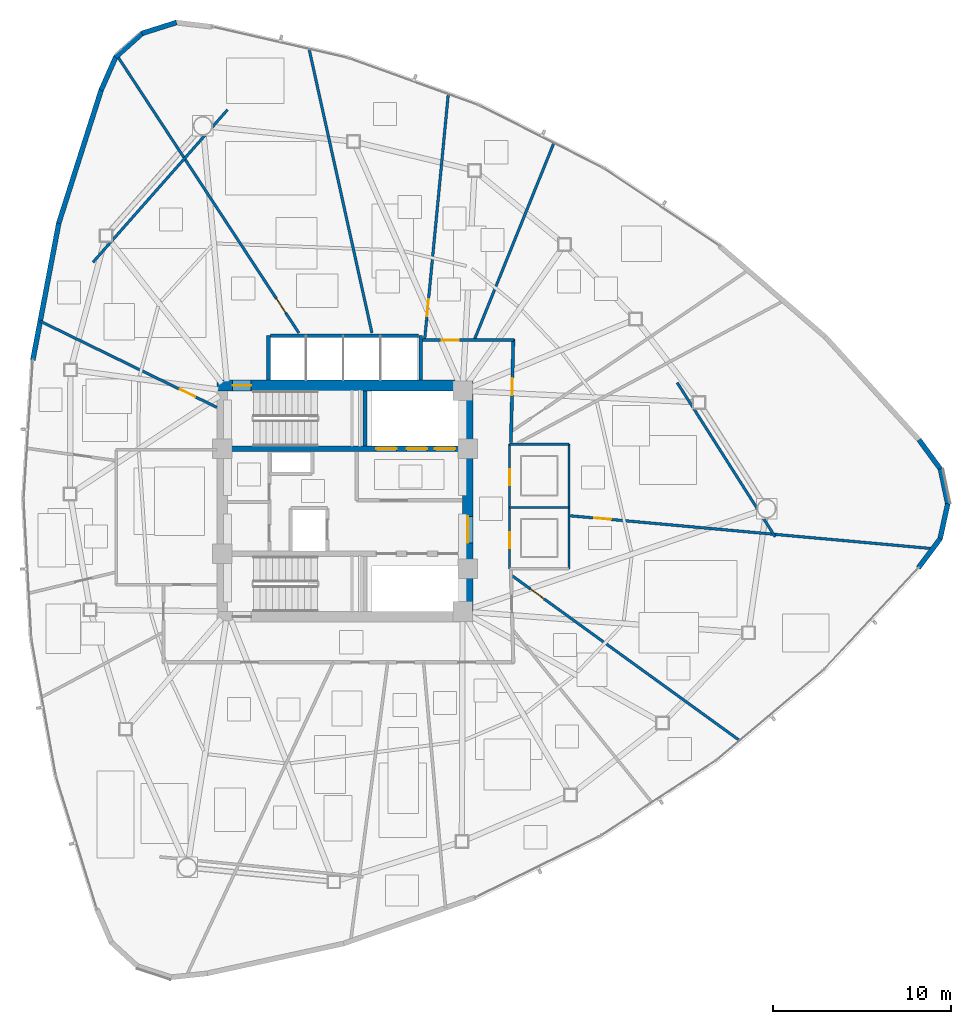
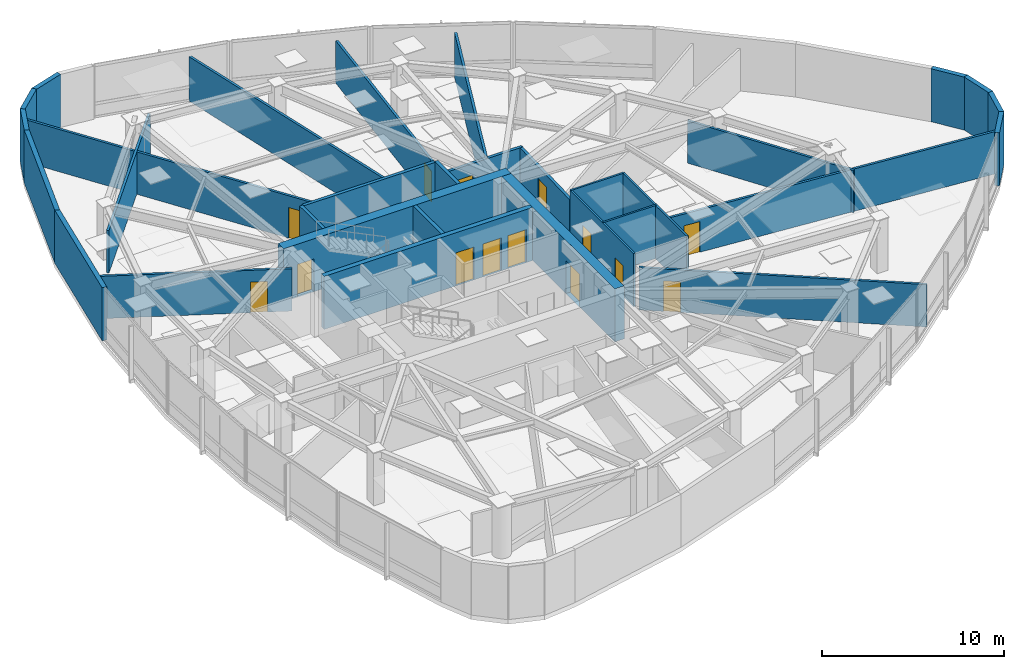
# One storey, part 13 of 18: 31 walls, 14 doors, 14 openings.
"""IFC4 building model written with IfcOpenShell, lengths in metres."""

from ifc_helpers import new_model, si_unit, direction, frame, frame_2d, origin, place, context, subcontext, project, spatial, rectangle, extrude, material, layer, layer_set, type_object, element, fill, save


model = new_model("IFC4")

# Units and contexts
model_context = context("Model", 3, precision=1e-05, world=origin(), true_north=direction((0.0, 1.0)))
body_context = subcontext(model_context, "Body", "Model", "MODEL_VIEW")
ifc_project = project(units=[si_unit("LENGTHUNIT", "METRE"), si_unit("AREAUNIT", "SQUARE_METRE"), si_unit("VOLUMEUNIT", "CUBIC_METRE"), si_unit("PLANEANGLEUNIT", "RADIAN"), si_unit("MASSUNIT", "GRAM", prefix="KILO")], contexts=[model_context])

# Site, building, storey
site_placement = place(None, origin())
site = spatial("IfcSite", under=ifc_project, at=site_placement, CompositionType="ELEMENT")
building_placement = place(site_placement, origin())
building = spatial("IfcBuilding", under=site, at=building_placement, Name="Tavelor Broadcast Tower", CompositionType="ELEMENT")
storey_placement = place(building_placement, frame((0.0, 0.0, 157.949951171875)))
storey = spatial("IfcBuildingStorey", under=building, at=storey_placement, Name="L37", CompositionType="ELEMENT", Elevation=157.949951171875)

# Wall, opening, door
ifc_material_1 = material(Name="Concrete C60/75", Category="concrete")
ifc_layer_1 = layer(ifc_material_1, 0.60009765625)
ifc_layer_set_1 = layer_set([ifc_layer_1], Name="Concrete C60/75")
wall_type_1 = type_object("IfcWallType", Name="Core Shear Wall 600 mm", PredefinedType="SHEAR", material=ifc_layer_set_1)
wall_1_placement = place(storey_placement, frame((42.800048828125, 51.5, 0.0), z_axis=(0.0, 0.0, 1.0), x_axis=(1.0, 0.0, 0.0)))
wall_1 = element("IfcWall", 1, at=wall_1_placement, inside=storey, type_object=wall_type_1, Name="L37 Central Core Shear Wall N", PredefinedType="SHEAR", context=body_context, shape_type="SweptSolid", body=[
    extrude(rectangle(XDim=14.39990234375, YDim=0.60009765625, at=frame_2d((7.199951171875, 0.0))), origin(), (0.0, 0.0, 1.0), 3.550048828125),
])
opening_1_placement = place(wall_1_placement, frame((0.8798828125, 0.0, 0.0)))
opening_1 = element("IfcOpeningElement", 2, at=opening_1_placement, cuts=wall_1, Name="Opening DR11", PredefinedType="OPENING", context=body_context, shape_type="SweptSolid", body=[
    extrude(rectangle(XDim=1.050048828125, YDim=2.199951171875, at=frame_2d((0.52490234375, 1.10009765625))), frame((0.0, 0.31005859375, 0.0), z_axis=(0.0, -1.0, 0.0), x_axis=(1.0, 0.0, 0.0)), (0.0, 0.0, 1.0), 0.6201171875),
])
ifc_material_2 = material(Name="Steel S355", Category="steel")
door_type_1 = type_object("IfcDoorType", Name="Stair Core Fire Escape Door 1050x2200", OperationType="NOTDEFINED", PredefinedType="DOOR", material=ifc_material_2)
door_1_placement = place(opening_1_placement, origin())
door_1 = element("IfcDoor", 3, at=door_1_placement, inside=storey, type_object=door_type_1, Name="L37 Stair ST1 Protected Exit Door", OperationType="SINGLE_SWING_LEFT", OverallHeight=2.199951171875, OverallWidth=1.050048828125, PredefinedType="DOOR", context=body_context, shape_type="SweptSolid", body=[
    extrude(rectangle(XDim=1.050048828125, YDim=2.199951171875, at=frame_2d((0.52490234375, 1.10009765625))), frame((0.0, 0.02490234375, 0.0), z_axis=(0.0, -1.0, 0.0), x_axis=(1.0, 0.0, 0.0)), (0.0, 0.0, 1.0), 0.050048828125),
])
fill(opening_1, door_1)

wall_2_placement = place(storey_placement, frame((56.89990234375, 38.800048828125, 0.0), z_axis=(0.0, 0.0, 1.0), x_axis=(0.0, 1.0, 0.0)))
wall_2 = element("IfcWall", 4, at=wall_2_placement, inside=storey, type_object=wall_type_1, Name="L37 Central Core Shear Wall E", PredefinedType="SHEAR", context=body_context, shape_type="SweptSolid", body=[
    extrude(rectangle(XDim=12.39990234375, YDim=0.60009765625, at=frame_2d((6.199951171875, 0.0))), origin(), (0.0, 0.0, 1.0), 3.550048828125),
])
opening_2_placement = place(wall_2_placement, frame((3.85009765625, 0.0, 0.0)))
opening_2 = element("IfcOpeningElement", 5, at=opening_2_placement, cuts=wall_2, Name="Opening DR14", PredefinedType="OPENING", context=body_context, shape_type="SweptSolid", body=[
    extrude(rectangle(XDim=1.5, YDim=2.199951171875, at=frame_2d((0.75, 1.10009765625))), frame((0.0, 0.31005859375, 0.0), z_axis=(0.0, -1.0, 0.0), x_axis=(1.0, 0.0, 0.0)), (0.0, 0.0, 1.0), 0.6201171875),
])
door_type_2 = type_object("IfcDoorType", Name="Firefighting Lobby Double Fire Door 1500x2200", OperationType="NOTDEFINED", PredefinedType="DOOR", material=ifc_material_2)
door_2_placement = place(opening_2_placement, origin())
door_2 = element("IfcDoor", 6, at=door_2_placement, inside=storey, type_object=door_type_2, Name="L37 Central Core Lobby Fire Door", OperationType="SINGLE_SWING_RIGHT", OverallHeight=2.199951171875, OverallWidth=1.5, PredefinedType="DOOR", context=body_context, shape_type="SweptSolid", body=[
    extrude(rectangle(XDim=1.5, YDim=2.199951171875, at=frame_2d((0.75, 1.10009765625))), frame((0.0, 0.02490234375, 0.0), z_axis=(0.0, -1.0, 0.0), x_axis=(1.0, 0.0, 0.0)), (0.0, 0.0, 1.0), 0.050048828125),
])
fill(opening_2, door_2)

# Wall, openings, doors
ifc_layer_2 = layer(ifc_material_1, 0.300048828125)
ifc_layer_set_2 = layer_set([ifc_layer_2], Name="Concrete C60/75")
wall_type_2 = type_object("IfcWallType", Name="Core Spine Shear Wall 300 mm C60", PredefinedType="SHEAR", material=ifc_layer_set_2)
wall_3_placement = place(storey_placement, frame((43.39990234375, 47.949951171875, 0.0), z_axis=(0.0, 0.0, 1.0), x_axis=(1.0, 0.0, 0.0)))
wall_3 = element("IfcWall", 7, at=wall_3_placement, inside=storey, type_object=wall_type_2, Name="L37 Central Core Shear Wall SP1", PredefinedType="SHEAR", context=body_context, shape_type="SweptSolid", body=[
    extrude(rectangle(XDim=13.2001953125, YDim=0.300048828125, at=frame_2d((6.60009765625, 0.0))), origin(), (0.0, 0.0, 1.0), 3.550048828125),
])
opening_3_placement = place(wall_3_placement, frame((8.344970703125, 0.0, 0.0)))
opening_3 = element("IfcOpeningElement", 8, at=opening_3_placement, cuts=wall_3, Name="Opening LD02", PredefinedType="OPENING", context=body_context, shape_type="SweptSolid", body=[
    extrude(rectangle(XDim=1.14990234375, YDim=2.199951171875, at=frame_2d((0.574951171875, 1.10009765625))), frame((0.0, 0.16015625, 0.0), z_axis=(0.0, -1.0, 0.0), x_axis=(1.0, 0.0, 0.0)), (0.0, 0.0, 1.0), 0.320068359375),
])
opening_4_placement = place(wall_3_placement, frame((10.06494140625, 0.0, 0.0)))
opening_4 = element("IfcOpeningElement", 9, at=opening_4_placement, cuts=wall_3, Name="Opening LD02", PredefinedType="OPENING", context=body_context, shape_type="SweptSolid", body=[
    extrude(rectangle(XDim=1.14990234375, YDim=2.199951171875, at=frame_2d((0.574951171875, 1.10009765625))), frame((0.0, 0.16015625, 0.0), z_axis=(0.0, -1.0, 0.0), x_axis=(1.0, 0.0, 0.0)), (0.0, 0.0, 1.0), 0.320068359375),
])
opening_5_placement = place(wall_3_placement, frame((11.64501953125, 0.0, 0.0)))
opening_5 = element("IfcOpeningElement", 10, at=opening_5_placement, cuts=wall_3, Name="Opening LD03", PredefinedType="OPENING", context=body_context, shape_type="SweptSolid", body=[
    extrude(rectangle(XDim=1.14990234375, YDim=2.199951171875, at=frame_2d((0.574951171875, 1.10009765625))), frame((0.0, 0.16015625, 0.0), z_axis=(0.0, -1.0, 0.0), x_axis=(1.0, 0.0, 0.0)), (0.0, 0.0, 1.0), 0.320068359375),
])
ifc_material_3 = material(Name="Reinforced Brushed Stainless Steel", Category="concrete")
door_type_3 = type_object("IfcDoorType", Name="Broadcast Goods Lift Sliding Landing Door 1250x2200", OperationType="NOTDEFINED", PredefinedType="DOOR", material=ifc_material_3)
door_3_placement = place(opening_5_placement, origin())
door_3 = element("IfcDoor", 11, at=door_3_placement, inside=storey, type_object=door_type_3, Name="L37 Lift SVL1 Sliding Landing Door", OperationType="SLIDING_TO_LEFT", OverallHeight=2.199951171875, OverallWidth=1.14990234375, PredefinedType="DOOR", context=body_context, shape_type="SweptSolid", body=[
    extrude(rectangle(XDim=1.14990234375, YDim=2.199951171875, at=frame_2d((0.574951171875, 1.10009765625))), frame((0.0, 0.02490234375, 0.0), z_axis=(0.0, -1.0, 0.0), x_axis=(1.0, 0.0, 0.0)), (0.0, 0.0, 1.0), 0.050048828125),
])
fill(opening_5, door_3)
ifc_material_4 = material(Name="Fire-Rated Stainless Steel", Category="steel")
door_type_4 = type_object("IfcDoorType", Name="Firefighting Lift Sliding Landing Door 1200x2200", OperationType="NOTDEFINED", PredefinedType="DOOR", material=ifc_material_4)
door_4_placement = place(opening_3_placement, origin())
door_4 = element("IfcDoor", 12, at=door_4_placement, inside=storey, type_object=door_type_4, Name="L37 Lift FFL1 Sliding Landing Door", OperationType="SLIDING_TO_LEFT", OverallHeight=2.199951171875, OverallWidth=1.14990234375, PredefinedType="DOOR", context=body_context, shape_type="SweptSolid", body=[
    extrude(rectangle(XDim=1.14990234375, YDim=2.199951171875, at=frame_2d((0.574951171875, 1.10009765625))), frame((0.0, 0.02490234375, 0.0), z_axis=(0.0, -1.0, 0.0), x_axis=(1.0, 0.0, 0.0)), (0.0, 0.0, 1.0), 0.050048828125),
])
fill(opening_3, door_4)
door_5_placement = place(opening_4_placement, origin())
door_5 = element("IfcDoor", 13, at=door_5_placement, inside=storey, type_object=door_type_4, Name="L37 Lift FFL2 Sliding Landing Door", OperationType="SLIDING_TO_LEFT", OverallHeight=2.199951171875, OverallWidth=1.14990234375, PredefinedType="DOOR", context=body_context, shape_type="SweptSolid", body=[
    extrude(rectangle(XDim=1.14990234375, YDim=2.199951171875, at=frame_2d((0.574951171875, 1.10009765625))), frame((0.0, 0.02490234375, 0.0), z_axis=(0.0, -1.0, 0.0), x_axis=(1.0, 0.0, 0.0)), (0.0, 0.0, 1.0), 0.050048828125),
])
fill(opening_4, door_5)

# Wall, opening, door
ifc_material_5 = material(Name="Calcium Silicate Fire Board 180 mm", Category="gypsum")
ifc_layer_3 = layer(ifc_material_5, 0.179931640625)
ifc_layer_set_3 = layer_set([ifc_layer_3], Name="Calcium Silicate Fire Board 180 mm")
wall_type_3 = type_object("IfcWallType", Name="Fire-Rated Corridor Partition Wall 180 mm", PredefinedType="PARTITIONING", material=ifc_layer_set_3)
wall_4_placement = place(storey_placement, frame((54.300048828125, 54.050048828125, 0.0), z_axis=(0.0, 0.0, 1.0), x_axis=(1.0, 0.0, 0.0)))
wall_4 = element("IfcWall", 14, at=wall_4_placement, inside=storey, type_object=wall_type_3, Name="L37 Corridor Compartment Wall 01", PredefinedType="PARTITIONING", context=body_context, shape_type="SweptSolid", body=[
    extrude(rectangle(XDim=5.199951171875, YDim=0.179931640625, at=frame_2d((2.60009765625, 0.0))), origin(), (0.0, 0.0, 1.0), 2.8349609375),
])
opening_6_placement = place(wall_4_placement, frame((1.138916015625, 0.0, 0.0)))
opening_6 = element("IfcOpeningElement", 15, at=opening_6_placement, cuts=wall_4, Name="Opening DR18", PredefinedType="OPENING", context=body_context, shape_type="SweptSolid", body=[
    extrude(rectangle(XDim=0.949951171875, YDim=2.050048828125, at=frame_2d((0.47509765625, 1.02490234375))), frame((0.0, 0.10009765625, 0.0), z_axis=(0.0, -1.0, 0.0), x_axis=(1.0, 0.0, 0.0)), (0.0, 0.0, 1.0), 0.199951171875),
])
ifc_material_6 = material(Name="Timber Solid Core Hardwood", Category="wood")
door_type_5 = type_object("IfcDoorType", Name="Corridor Rated Compartment Door 950x2050", OperationType="NOTDEFINED", PredefinedType="DOOR", material=ifc_material_6)
door_6_placement = place(opening_6_placement, origin())
door_6 = element("IfcDoor", 16, at=door_6_placement, inside=storey, type_object=door_type_5, Name="L37 Producer Interview Room Door R13", OperationType="SINGLE_SWING_LEFT", OverallHeight=2.050048828125, OverallWidth=0.949951171875, PredefinedType="DOOR", context=body_context, shape_type="SweptSolid", body=[
    extrude(rectangle(XDim=0.949951171875, YDim=2.050048828125, at=frame_2d((0.47509765625, 1.02490234375))), frame((0.0, 0.02490234375, 0.0), z_axis=(0.0, -1.0, 0.0), x_axis=(1.0, 0.0, 0.0)), (0.0, 0.0, 1.0), 0.050048828125),
])
fill(opening_6, door_6)

wall_5_placement = place(storey_placement, frame((59.451171875, 54.10009765625, 0.0), z_axis=(0.0, 0.0, 1.0), x_axis=(-0.023271046154, -0.999729192537, 0.0)))
wall_5 = element("IfcWall", 17, at=wall_5_placement, inside=storey, type_object=wall_type_3, Name="L37 Corridor Compartment Wall 02", PredefinedType="PARTITIONING", context=body_context, shape_type="SweptSolid", body=[
    extrude(rectangle(XDim=5.801513671875, YDim=0.179931640625, at=frame_2d((2.90087890625, 0.0))), origin(), (0.0, 0.0, 1.0), 2.8349609375),
])
opening_7_placement = place(wall_5_placement, frame((2.19287109375, 0.0, 0.0)))
opening_7 = element("IfcOpeningElement", 18, at=opening_7_placement, cuts=wall_5, Name="Opening DR18", PredefinedType="OPENING", context=body_context, shape_type="SweptSolid", body=[
    extrude(rectangle(XDim=0.949951171875, YDim=2.050048828125, at=frame_2d((0.47509765625, 1.02490234375))), frame((0.0, 0.10009765625, 0.0), z_axis=(0.0, -1.0, 0.0), x_axis=(1.0, 0.0, 0.0)), (0.0, 0.0, 1.0), 0.199951171875),
])
door_7_placement = place(opening_7_placement, origin())
door_7 = element("IfcDoor", 19, at=door_7_placement, inside=storey, type_object=door_type_5, Name="L37 Investigative News Desk Door R14", OperationType="SINGLE_SWING_RIGHT", OverallHeight=2.050048828125, OverallWidth=0.949951171875, PredefinedType="DOOR", context=body_context, shape_type="SweptSolid", body=[
    extrude(rectangle(XDim=0.949951171875, YDim=2.050048828125, at=frame_2d((0.47509765625, 1.02490234375))), frame((0.0, 0.02490234375, 0.0), z_axis=(0.0, -1.0, 0.0), x_axis=(1.0, 0.0, 0.0)), (0.0, 0.0, 1.0), 0.050048828125),
])
fill(opening_7, door_7)

# Walls
ifc_material_7 = material(Name="Precast Concrete C40/50", Category="concrete")
ifc_layer_4 = layer(ifc_material_7, 0.280029296875)
ifc_layer_set_4 = layer_set([ifc_layer_4], Name="Precast Concrete C40/50")
wall_type_4 = type_object("IfcWallType", Name="Insulated Precast Terracotta Facade Wall 280 mm", PredefinedType="STANDARD", material=ifc_layer_set_4)
for number, where, z_axis, x_axis, name in (
    (20, (40.532470703125, 71.890625, 0.0), (0.0, 0.0, 1.0), (-0.953424587479, -0.301631490382, 0.0), "L37 Rounded Corner Structural Cladding Pier 02"),
    (21, (38.6201171875, 71.292236328125, 0.0), (0.0, 0.0, 1.0), (-0.744839066739, -0.667244156706, 0.0), "L37 Rounded Corner Structural Cladding Pier 03"),
):
    element("IfcWall", number, at=place(storey_placement, frame(where, z_axis=z_axis, x_axis=x_axis)), inside=storey, type_object=wall_type_4, Name=name, PredefinedType="STANDARD", context=body_context, shape_type="SweptSolid", body=[
        extrude(rectangle(XDim=2.032470703125, YDim=0.280029296875, at=frame_2d((1.01611328125, 0.0))), origin(), (0.0, 0.0, 1.0), 3.550048828125),
    ])
wall_6_placement = place(storey_placement, frame((37.123291015625, 69.959716796875, 0.0), z_axis=(0.0, 0.0, 1.0), x_axis=(-0.404318728787, -0.914618152866, 0.0)))
element("IfcWall", 22, at=wall_6_placement, inside=storey, type_object=wall_type_4, Name="L37 Rounded Corner Structural Cladding Pier 04", PredefinedType="STANDARD", context=body_context, shape_type="SweptSolid", body=[
    extrude(rectangle(XDim=2.054931640625, YDim=0.280029296875, at=frame_2d((1.02734375, 0.0))), origin(), (0.0, 0.0, 1.0), 3.550048828125),
])
wall_7_placement = place(storey_placement, frame((36.302978515625, 68.1083984375, 0.0), z_axis=(0.0, 0.0, 1.0), x_axis=(-0.303628979696, -0.95279034561, 0.0)))
element("IfcWall", 23, at=wall_7_placement, inside=storey, type_object=wall_type_4, Name="L37 Rounded Corner Structural Cladding Pier 05", PredefinedType="STANDARD", context=body_context, shape_type="SweptSolid", body=[
    extrude(rectangle(XDim=7.865478515625, YDim=0.280029296875, at=frame_2d((3.9326171875, 0.0))), origin(), (0.0, 0.0, 1.0), 3.550048828125),
])
wall_8_placement = place(storey_placement, frame((33.922119140625, 60.643310546875, 0.0), z_axis=(0.0, 0.0, 1.0), x_axis=(-0.186116351584, -0.982527711402, 0.0)))
element("IfcWall", 24, at=wall_8_placement, inside=storey, type_object=wall_type_4, Name="L37 Rounded Corner Structural Cladding Pier 06", PredefinedType="STANDARD", context=body_context, shape_type="SweptSolid", body=[
    extrude(rectangle(XDim=7.853515625, YDim=0.280029296875, at=frame_2d((3.9267578125, 0.0))), origin(), (0.0, 0.0, 1.0), 3.550048828125),
])
wall_9_placement = place(storey_placement, frame((82.210693359375, 41.260498046875, 0.0), z_axis=(0.0, 0.0, 1.0), x_axis=(0.598393520837, 0.80120234287, 0.0)))
element("IfcWall", 25, at=wall_9_placement, inside=storey, type_object=wall_type_4, Name="L37 Rounded Corner Structural Cladding Pier 21", PredefinedType="STANDARD", context=body_context, shape_type="SweptSolid", body=[
    extrude(rectangle(XDim=2.0439453125, YDim=0.280029296875, at=frame_2d((1.02197265625, 0.0))), origin(), (0.0, 0.0, 1.0), 3.550048828125),
])
wall_10_placement = place(storey_placement, frame((83.421630859375, 42.87158203125, 0.0), z_axis=(0.0, 0.0, 1.0), x_axis=(0.215620218612, 0.976477302002, 0.0)))
element("IfcWall", 26, at=wall_10_placement, inside=storey, type_object=wall_type_4, Name="L37 Rounded Corner Structural Cladding Pier 22", PredefinedType="STANDARD", context=body_context, shape_type="SweptSolid", body=[
    extrude(rectangle(XDim=2.032470703125, YDim=0.280029296875, at=frame_2d((1.01611328125, 0.0))), origin(), (0.0, 0.0, 1.0), 3.550048828125),
])
wall_11_placement = place(storey_placement, frame((83.859619140625, 44.826904296875, 0.0), z_axis=(0.0, 0.0, 1.0), x_axis=(-0.205302074645, 0.978698655433, 0.0)))
element("IfcWall", 27, at=wall_11_placement, inside=storey, type_object=wall_type_4, Name="L37 Rounded Corner Structural Cladding Pier 23", PredefinedType="STANDARD", context=body_context, shape_type="SweptSolid", body=[
    extrude(rectangle(XDim=2.0322265625, YDim=0.280029296875, at=frame_2d((1.01611328125, 0.0))), origin(), (0.0, 0.0, 1.0), 3.550048828125),
])
wall_12_placement = place(storey_placement, frame((83.4541015625, 46.789306640625, 0.0), z_axis=(0.0, 0.0, 1.0), x_axis=(-0.589915299983, 0.807465131659, 0.0)))
element("IfcWall", 28, at=wall_12_placement, inside=storey, type_object=wall_type_4, Name="L37 Rounded Corner Structural Cladding Pier 24", PredefinedType="STANDARD", context=body_context, shape_type="SweptSolid", body=[
    extrude(rectangle(XDim=2.0546875, YDim=0.280029296875, at=frame_2d((1.02734375, 0.0))), origin(), (0.0, 0.0, 1.0), 3.550048828125),
])
ifc_material_8 = material(Name="Gypsum Acoustic Plasterboard 150 mm", Category="gypsum")
ifc_layer_5 = layer(ifc_material_8, 0.14990234375)
ifc_layer_set_5 = layer_set([ifc_layer_5], Name="Gypsum Acoustic Plasterboard 150 mm")
wall_type_5 = type_object("IfcWallType", Name="Interior Acoustic Partition Wall 150 mm", PredefinedType="PARTITIONING", material=ifc_layer_set_5)
wall_13_placement = place(storey_placement, frame((43.399658203125, 66.988525390625, 0.0), z_axis=(0.0, 0.0, 1.0), x_axis=(-0.661622343701, -0.749837231881, 0.0)))
element("IfcWall", 29, at=wall_13_placement, inside=storey, type_object=wall_type_5, Name="L37 Corner Tube Brace Furring Wall 1", PredefinedType="PARTITIONING", context=body_context, shape_type="SweptSolid", body=[
    extrude(rectangle(XDim=11.42724609375, YDim=0.14990234375, at=frame_2d((5.713623046875, 0.0))), origin(), (0.0, 0.0, 1.0), 2.8349609375),
])
wall_14_placement = place(storey_placement, frame((74.16259765625, 42.9931640625, 0.0), z_axis=(0.0, 0.0, 1.0), x_axis=(-0.53628142437, 0.844039237166, 0.0)))
element("IfcWall", 30, at=wall_14_placement, inside=storey, type_object=wall_type_5, Name="L37 Corner Tube Brace Furring Wall 3", PredefinedType="PARTITIONING", context=body_context, shape_type="SweptSolid", body=[
    extrude(rectangle(XDim=10.266845703125, YDim=0.14990234375, at=frame_2d((5.13330078125, 0.0))), origin(), (0.0, 0.0, 1.0), 2.8349609375),
])
wall_15_placement = place(storey_placement, frame((57.25634765625, 54.050048828125, 0.0), z_axis=(0.0, 0.0, 1.0), x_axis=(0.374620912502, 0.927178069152, 0.0)))
element("IfcWall", 31, at=wall_15_placement, inside=storey, type_object=wall_type_5, Name="L37 Radial Compartment Wall 01", PredefinedType="PARTITIONING", context=body_context, shape_type="SweptSolid", body=[
    extrude(rectangle(XDim=11.941162109375, YDim=0.14990234375, at=frame_2d((5.970703125, 0.0))), origin(), (0.0, 0.0, 1.0), 2.97509765625),
])

# Wall, opening, door
wall_16_placement = place(storey_placement, frame((54.469970703125, 54.050048828125, 0.0), z_axis=(0.0, 0.0, 1.0), x_axis=(0.095677894603, 0.995412346962, 0.0)))
wall_16 = element("IfcWall", 32, at=wall_16_placement, inside=storey, type_object=wall_type_5, Name="L37 Radial Compartment Wall 02", PredefinedType="PARTITIONING", context=body_context, shape_type="SweptSolid", body=[
    extrude(rectangle(XDim=13.8837890625, YDim=0.14990234375, at=frame_2d((6.94189453125, 0.0))), origin(), (0.0, 0.0, 1.0), 2.8349609375),
])
opening_8_placement = place(wall_16_placement, frame((1.35009765625, 0.0, 0.0)))
opening_8 = element("IfcOpeningElement", 33, at=opening_8_placement, cuts=wall_16, Name="Opening DR18", PredefinedType="OPENING", context=body_context, shape_type="SweptSolid", body=[
    extrude(rectangle(XDim=0.949951171875, YDim=2.050048828125, at=frame_2d((0.47509765625, 1.02490234375))), frame((0.0, 0.0849609375, 0.0), z_axis=(0.0, -1.0, 0.0), x_axis=(1.0, 0.0, 0.0)), (0.0, 0.0, 1.0), 0.169921875),
])
door_8_placement = place(opening_8_placement, origin())
door_8 = element("IfcDoor", 34, at=door_8_placement, inside=storey, type_object=door_type_5, Name="L37 Suite Connecting Door 12", OperationType="SINGLE_SWING_LEFT", OverallHeight=2.050048828125, OverallWidth=0.949951171875, PredefinedType="DOOR", context=body_context, shape_type="SweptSolid", body=[
    extrude(rectangle(XDim=0.949951171875, YDim=2.050048828125, at=frame_2d((0.47509765625, 1.02490234375))), frame((0.0, 0.02490234375, 0.0), z_axis=(0.0, -1.0, 0.0), x_axis=(1.0, 0.0, 0.0)), (0.0, 0.0, 1.0), 0.050048828125),
])
fill(opening_8, door_8)

# Wall
wall_17_placement = place(storey_placement, frame((51.508544921875, 54.449951171875, 0.0), z_axis=(0.0, 0.0, 1.0), x_axis=(-0.216082641647, 0.976375077508, 0.0)))
element("IfcWall", 35, at=wall_17_placement, inside=storey, type_object=wall_type_5, Name="L37 Radial Compartment Wall 03", PredefinedType="PARTITIONING", context=body_context, shape_type="SweptSolid", body=[
    extrude(rectangle(XDim=16.344482421875, YDim=0.14990234375, at=frame_2d((8.17236328125, 0.0))), origin(), (0.0, 0.0, 1.0), 2.97509765625),
])

# Wall, opening, door
wall_18_placement = place(storey_placement, frame((47.405517578125, 54.449951171875, 0.0), z_axis=(0.0, 0.0, 1.0), x_axis=(-0.548219770251, 0.836334313242, 0.0)))
wall_18 = element("IfcWall", 36, at=wall_18_placement, inside=storey, type_object=wall_type_5, Name="L37 Radial Compartment Wall 04", PredefinedType="PARTITIONING", context=body_context, shape_type="SweptSolid", body=[
    extrude(rectangle(XDim=18.626953125, YDim=0.14990234375, at=frame_2d((9.3134765625, 0.0))), origin(), (0.0, 0.0, 1.0), 2.8349609375),
])
opening_9_placement = place(wall_18_placement, frame((1.35009765625, 0.0, 0.0)))
opening_9 = element("IfcOpeningElement", 37, at=opening_9_placement, cuts=wall_18, Name="Opening DR18", PredefinedType="OPENING", context=body_context, shape_type="SweptSolid", body=[
    extrude(rectangle(XDim=0.949951171875, YDim=2.050048828125, at=frame_2d((0.47509765625, 1.02490234375))), frame((0.0, 0.0849609375, 0.0), z_axis=(0.0, -1.0, 0.0), x_axis=(1.0, 0.0, 0.0)), (0.0, 0.0, 1.0), 0.169921875),
])
door_9_placement = place(opening_9_placement, origin())
door_9 = element("IfcDoor", 38, at=door_9_placement, inside=storey, type_object=door_type_5, Name="L37 Suite Connecting Door 11", OperationType="SINGLE_SWING_RIGHT", OverallHeight=2.050048828125, OverallWidth=0.949951171875, PredefinedType="DOOR", context=body_context, shape_type="SweptSolid", body=[
    extrude(rectangle(XDim=0.949951171875, YDim=2.050048828125, at=frame_2d((0.47509765625, 1.02490234375))), frame((0.0, 0.02490234375, 0.0), z_axis=(0.0, -1.0, 0.0), x_axis=(1.0, 0.0, 0.0)), (0.0, 0.0, 1.0), 0.050048828125),
])
fill(opening_9, door_9)

wall_19_placement = place(storey_placement, frame((42.800048828125, 50.268310546875, 0.0), z_axis=(0.0, 0.0, 1.0), x_axis=(-0.898770355964, 0.438419715843, 0.0)))
wall_19 = element("IfcWall", 39, at=wall_19_placement, inside=storey, type_object=wall_type_5, Name="L37 Radial Compartment Wall 05", PredefinedType="PARTITIONING", context=body_context, shape_type="SweptSolid", body=[
    extrude(rectangle(XDim=11.054443359375, YDim=0.14990234375, at=frame_2d((5.52734375, 0.0))), origin(), (0.0, 0.0, 1.0), 2.8349609375),
])
opening_10_placement = place(wall_19_placement, frame((1.35009765625, 0.0, 0.0)))
opening_10 = element("IfcOpeningElement", 40, at=opening_10_placement, cuts=wall_19, Name="Opening DR18", PredefinedType="OPENING", context=body_context, shape_type="SweptSolid", body=[
    extrude(rectangle(XDim=0.949951171875, YDim=2.050048828125, at=frame_2d((0.47509765625, 1.02490234375))), frame((0.0, 0.0849609375, 0.0), z_axis=(0.0, -1.0, 0.0), x_axis=(1.0, 0.0, 0.0)), (0.0, 0.0, 1.0), 0.169921875),
])
door_10_placement = place(opening_10_placement, origin())
door_10 = element("IfcDoor", 41, at=door_10_placement, inside=storey, type_object=door_type_5, Name="L37 Suite Connecting Door 10", OperationType="SINGLE_SWING_LEFT", OverallHeight=2.050048828125, OverallWidth=0.949951171875, PredefinedType="DOOR", context=body_context, shape_type="SweptSolid", body=[
    extrude(rectangle(XDim=0.949951171875, YDim=2.050048828125, at=frame_2d((0.47509765625, 1.02490234375))), frame((0.0, 0.02490234375, 0.0), z_axis=(0.0, -1.0, 0.0), x_axis=(1.0, 0.0, 0.0)), (0.0, 0.0, 1.0), 0.050048828125),
])
fill(opening_10, door_10)

wall_20_placement = place(storey_placement, frame((59.322509765625, 40.855712890625, 0.0), z_axis=(0.0, 0.0, 1.0), x_axis=(0.809906834682, -0.586558538541, 0.0)))
wall_20 = element("IfcWall", 42, at=wall_20_placement, inside=storey, type_object=wall_type_5, Name="L37 Radial Compartment Wall 13", PredefinedType="PARTITIONING", context=body_context, shape_type="SweptSolid", body=[
    extrude(rectangle(XDim=15.867431640625, YDim=0.14990234375, at=frame_2d((7.93359375, 0.0))), origin(), (0.0, 0.0, 1.0), 2.8349609375),
])
opening_11_placement = place(wall_20_placement, frame((1.35009765625, 0.0, 0.0)))
opening_11 = element("IfcOpeningElement", 43, at=opening_11_placement, cuts=wall_20, Name="Opening DR18", PredefinedType="OPENING", context=body_context, shape_type="SweptSolid", body=[
    extrude(rectangle(XDim=0.949951171875, YDim=2.050048828125, at=frame_2d((0.47509765625, 1.02490234375))), frame((0.0, 0.0849609375, 0.0), z_axis=(0.0, -1.0, 0.0), x_axis=(1.0, 0.0, 0.0)), (0.0, 0.0, 1.0), 0.169921875),
])
door_11_placement = place(opening_11_placement, origin())
door_11 = element("IfcDoor", 44, at=door_11_placement, inside=storey, type_object=door_type_5, Name="L37 Suite Connecting Door 1", OperationType="SINGLE_SWING_RIGHT", OverallHeight=2.050048828125, OverallWidth=0.949951171875, PredefinedType="DOOR", context=body_context, shape_type="SweptSolid", body=[
    extrude(rectangle(XDim=0.949951171875, YDim=2.050048828125, at=frame_2d((0.47509765625, 1.02490234375))), frame((0.0, 0.02490234375, 0.0), z_axis=(0.0, -1.0, 0.0), x_axis=(1.0, 0.0, 0.0)), (0.0, 0.0, 1.0), 0.050048828125),
])
fill(opening_11, door_11)

wall_21_placement = place(storey_placement, frame((62.64990234375, 44.178955078125, 0.0), z_axis=(0.0, 0.0, 1.0), x_axis=(0.995910503275, -0.090345279157, 0.0)))
wall_21 = element("IfcWall", 45, at=wall_21_placement, inside=storey, type_object=wall_type_5, Name="L37 Radial Compartment Wall 14", PredefinedType="PARTITIONING", context=body_context, shape_type="SweptSolid", body=[
    extrude(rectangle(XDim=20.45654296875, YDim=0.14990234375, at=frame_2d((10.228271484375, 0.0))), origin(), (0.0, 0.0, 1.0), 2.8349609375),
])
opening_12_placement = place(wall_21_placement, frame((1.35009765625, 0.0, 0.0)))
opening_12 = element("IfcOpeningElement", 46, at=opening_12_placement, cuts=wall_21, Name="Opening DR18", PredefinedType="OPENING", context=body_context, shape_type="SweptSolid", body=[
    extrude(rectangle(XDim=0.949951171875, YDim=2.050048828125, at=frame_2d((0.47509765625, 1.02490234375))), frame((0.0, 0.0849609375, 0.0), z_axis=(0.0, -1.0, 0.0), x_axis=(1.0, 0.0, 0.0)), (0.0, 0.0, 1.0), 0.169921875),
])
door_12_placement = place(opening_12_placement, origin())
door_12 = element("IfcDoor", 47, at=door_12_placement, inside=storey, type_object=door_type_5, Name="L37 Suite Connecting Door 16", OperationType="SINGLE_SWING_LEFT", OverallHeight=2.050048828125, OverallWidth=0.949951171875, PredefinedType="DOOR", context=body_context, shape_type="SweptSolid", body=[
    extrude(rectangle(XDim=0.949951171875, YDim=2.050048828125, at=frame_2d((0.47509765625, 1.02490234375))), frame((0.0, 0.02490234375, 0.0), z_axis=(0.0, -1.0, 0.0), x_axis=(1.0, 0.0, 0.0)), (0.0, 0.0, 1.0), 0.050048828125),
])
fill(opening_12, door_12)

# Walls
ifc_material_9 = material(Name="Concrete Blockwork 200 mm", Category="masonry")
ifc_layer_6 = layer(ifc_material_9, 0.199951171875)
ifc_layer_set_6 = layer_set([ifc_layer_6], Name="Concrete Blockwork 200 mm")
wall_type_6 = type_object("IfcWallType", Name="Lift Hoistway Rated Front Wall 200 mm", PredefinedType="PARTITIONING", material=ifc_layer_set_6)
wall_22_placement = place(storey_placement, frame((45.820068359375, 54.300048828125, 0.0), z_axis=(0.0, 0.0, 1.0), x_axis=(1.0, 0.0, 0.0)))
element("IfcWall", 48, at=wall_22_placement, inside=storey, type_object=wall_type_6, Name="L37 High-Rise Lift Hoistway Front Wall", PredefinedType="PARTITIONING", context=body_context, shape_type="SweptSolid", body=[
    extrude(rectangle(XDim=8.309814453125, YDim=0.199951171875, at=frame_2d((4.15478515625, 0.0))), origin(), (0.0, 0.0, 1.0), 3.550048828125),
])
ifc_layer_7 = layer(ifc_material_9, 0.199951171875)
ifc_layer_set_7 = layer_set([ifc_layer_7], Name="Concrete Blockwork 200 mm")
wall_type_7 = type_object("IfcWallType", Name="Lift and Riser Shaft Enclosure Wall 200 mm", PredefinedType="PARTITIONING", material=ifc_layer_set_7)
for number, where, z_axis, x_axis, name in (
    (49, (45.699951171875, 51.800048828125, 0.0), (0.0, 0.0, 1.0), (0.0, 1.0, 0.0), "L37 High-Rise Lift Shaft West Wall"),
    (50, (54.25, 51.800048828125, 0.0), (0.0, 0.0, 1.0), (0.0, 1.0, 0.0), "L37 High-Rise Lift Shaft East Wall"),
):
    element("IfcWall", number, at=place(storey_placement, frame(where, z_axis=z_axis, x_axis=x_axis)), inside=storey, type_object=wall_type_7, Name=name, PredefinedType="PARTITIONING", context=body_context, shape_type="SweptSolid", body=[
        extrude(rectangle(XDim=2.5, YDim=0.199951171875, at=frame_2d((1.25, 0.0))), origin(), (0.0, 0.0, 1.0), 3.550048828125),
    ])

# Wall, openings, doors
ifc_material_10 = material(Name="Moisture-Resistant Plasterboard 120 mm", Category="gypsum")
ifc_layer_8 = layer(ifc_material_10, 0.1201171875)
ifc_layer_set_8 = layer_set([ifc_layer_8], Name="Moisture-Resistant Plasterboard 120 mm")
wall_type_8 = type_object("IfcWallType", Name="Moisture-Resistant Wet-Room Partition 120 mm", PredefinedType="PARTITIONING", material=ifc_layer_set_8)
wall_23_placement = place(storey_placement, frame((59.239990234375, 41.199951171875, 0.0), z_axis=(0.0, 0.0, 1.0), x_axis=(0.0, 1.0, 0.0)))
wall_23 = element("IfcWall", 51, at=wall_23_placement, inside=storey, type_object=wall_type_8, Name="L37 Floor Washrooms West Wall", PredefinedType="PARTITIONING", context=body_context, shape_type="SweptSolid", body=[
    extrude(rectangle(XDim=7.0, YDim=0.1201171875, at=frame_2d((3.5, 0.0))), origin(), (0.0, 0.0, 1.0), 3.550048828125),
])
opening_13_placement = place(wall_23_placement, frame((1.14990234375, 0.0, 0.0)))
opening_13 = element("IfcOpeningElement", 52, at=opening_13_placement, cuts=wall_23, Name="Opening DR32", PredefinedType="OPENING", context=body_context, shape_type="SweptSolid", body=[
    extrude(rectangle(XDim=0.89990234375, YDim=2.050048828125, at=frame_2d((0.449951171875, 1.02490234375))), frame((0.0, 0.070068359375, 0.0), z_axis=(0.0, -1.0, 0.0), x_axis=(1.0, 0.0, 0.0)), (0.0, 0.0, 1.0), 0.14013671875),
])
opening_14_placement = place(wall_23_placement, frame((4.699951171875, 0.0, 0.0)))
opening_14 = element("IfcOpeningElement", 53, at=opening_14_placement, cuts=wall_23, Name="Opening DR32", PredefinedType="OPENING", context=body_context, shape_type="SweptSolid", body=[
    extrude(rectangle(XDim=0.89990234375, YDim=2.050048828125, at=frame_2d((0.449951171875, 1.02490234375))), frame((0.0, 0.070068359375, 0.0), z_axis=(0.0, -1.0, 0.0), x_axis=(1.0, 0.0, 0.0)), (0.0, 0.0, 1.0), 0.14013671875),
])
door_type_6 = type_object("IfcDoorType", Name="Accessible Washroom Door 900x2050", OperationType="NOTDEFINED", PredefinedType="DOOR", material=ifc_material_6)
door_13_placement = place(opening_13_placement, origin())
door_13 = element("IfcDoor", 54, at=door_13_placement, inside=storey, type_object=door_type_6, Name="L37 Accessible WC Door", OperationType="SINGLE_SWING_LEFT", OverallHeight=2.050048828125, OverallWidth=0.89990234375, PredefinedType="DOOR", context=body_context, shape_type="SweptSolid", body=[
    extrude(rectangle(XDim=0.89990234375, YDim=2.050048828125, at=frame_2d((0.449951171875, 1.02490234375))), frame((0.0, 0.02490234375, 0.0), z_axis=(0.0, -1.0, 0.0), x_axis=(1.0, 0.0, 0.0)), (0.0, 0.0, 1.0), 0.050048828125),
])
fill(opening_13, door_13)
door_14_placement = place(opening_14_placement, origin())
door_14 = element("IfcDoor", 55, at=door_14_placement, inside=storey, type_object=door_type_6, Name="L37 Staff Washroom WC Door", OperationType="SINGLE_SWING_RIGHT", OverallHeight=2.050048828125, OverallWidth=0.89990234375, PredefinedType="DOOR", context=body_context, shape_type="SweptSolid", body=[
    extrude(rectangle(XDim=0.89990234375, YDim=2.050048828125, at=frame_2d((0.449951171875, 1.02490234375))), frame((0.0, 0.02490234375, 0.0), z_axis=(0.0, -1.0, 0.0), x_axis=(1.0, 0.0, 0.0)), (0.0, 0.0, 1.0), 0.050048828125),
])
fill(opening_14, door_14)

# Walls
for number, where, z_axis, x_axis, name in (
    (56, (59.239990234375, 44.64990234375, 0.0), (0.0, 0.0, 1.0), (1.0, 0.0, 0.0), "L37 Floor Washrooms Divider Wall"),
    (57, (59.239990234375, 48.199951171875, 0.0), (0.0, 0.0, 1.0), (1.0, 0.0, 0.0), "L37 Floor Washrooms North Wall"),
):
    element("IfcWall", number, at=place(storey_placement, frame(where, z_axis=z_axis, x_axis=x_axis)), inside=storey, type_object=wall_type_8, Name=name, PredefinedType="PARTITIONING", context=body_context, shape_type="SweptSolid", body=[
        extrude(rectangle(XDim=3.340087890625, YDim=0.1201171875, at=frame_2d((1.669921875, 0.0))), origin(), (0.0, 0.0, 1.0), 3.550048828125),
    ])
wall_24_placement = place(storey_placement, frame((62.580078125, 41.199951171875, 0.0), z_axis=(0.0, 0.0, 1.0), x_axis=(0.0, 1.0, 0.0)))
element("IfcWall", 58, at=wall_24_placement, inside=storey, type_object=wall_type_8, Name="L37 Floor Washrooms East Wall", PredefinedType="PARTITIONING", context=body_context, shape_type="SweptSolid", body=[
    extrude(rectangle(XDim=7.0, YDim=0.1201171875, at=frame_2d((3.5, 0.0))), origin(), (0.0, 0.0, 1.0), 3.550048828125),
])
ifc_material_11 = material(Name="Concrete C40/50", Category="concrete")
ifc_layer_9 = layer(ifc_material_11, 0.219970703125)
ifc_layer_set_9 = layer_set([ifc_layer_9], Name="Concrete C40/50")
wall_type_9 = type_object("IfcWallType", Name="Structural Stairwell Shear Wall 220 mm", PredefinedType="SHEAR", material=ifc_layer_set_9)
wall_25_placement = place(storey_placement, frame((51.110107421875, 48.10009765625, 0.0), z_axis=(0.0, 0.0, 1.0), x_axis=(0.0, 1.0, 0.0)))
element("IfcWall", 59, at=wall_25_placement, inside=storey, type_object=wall_type_9, Name="L37 Stair ST1 Structural Shaft Wall", PredefinedType="SHEAR", context=body_context, shape_type="SweptSolid", body=[
    extrude(rectangle(XDim=3.099853515625, YDim=0.219970703125, at=frame_2d((1.5498046875, 0.0))), origin(), (0.0, 0.0, 1.0), 3.550048828125),
])

save(model, "model.ifc")
